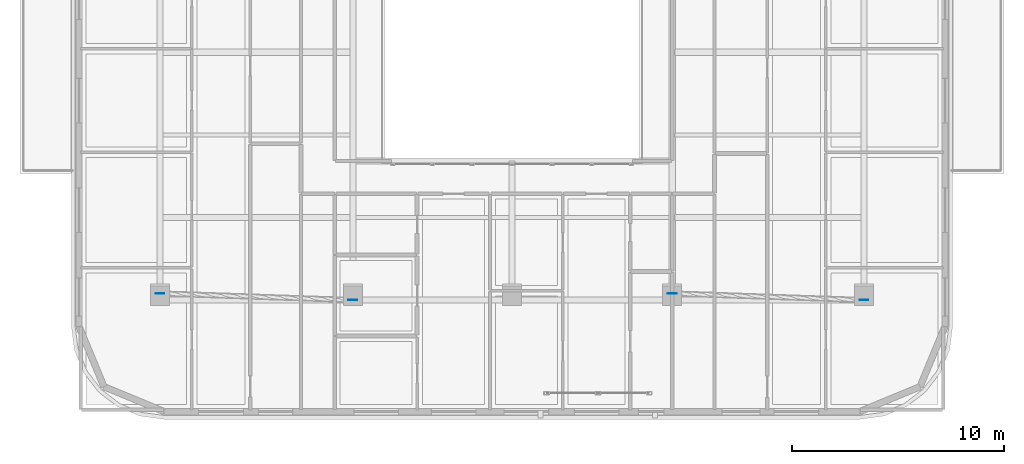
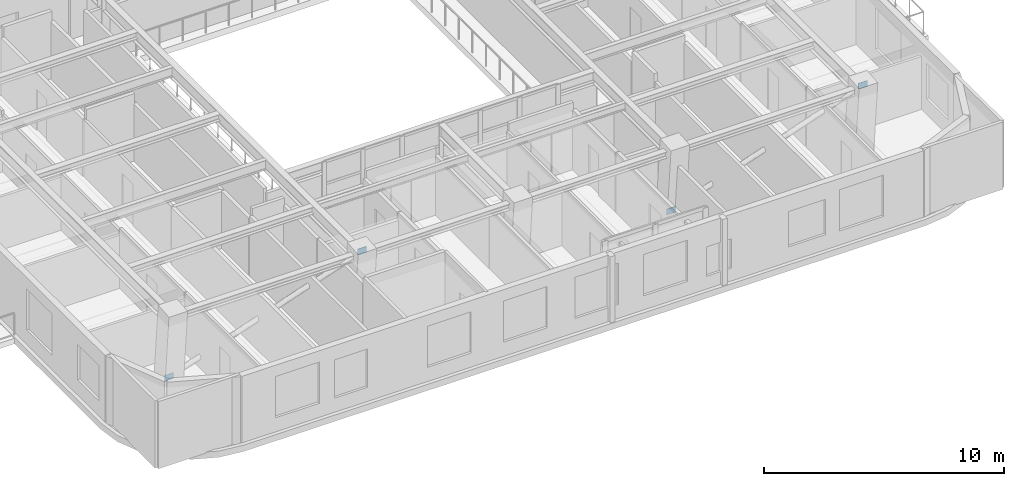
# One storey, part 5 of 14: 4 plates.
"""IFC4 building model written with IfcOpenShell, lengths in metres."""

from ifc_helpers import new_model, si_unit, direction, frame, origin, origin_2d, place, context, subcontext, project, spatial, rectangle, extrude, material, layer, layer_set, type_object, element, save


model = new_model("IFC4")

# Units and contexts
model_context = context("Model", 3, precision=1e-05, world=origin(), true_north=direction((0.0, 1.0)))
body_context = subcontext(model_context, "Body", "Model", "MODEL_VIEW")
ifc_project = project(units=[si_unit("LENGTHUNIT", "METRE"), si_unit("AREAUNIT", "SQUARE_METRE"), si_unit("VOLUMEUNIT", "CUBIC_METRE"), si_unit("PLANEANGLEUNIT", "RADIAN"), si_unit("MASSUNIT", "GRAM", prefix="KILO")], contexts=[model_context])

# Site, building, storey
site_placement = place(None, origin())
site = spatial("IfcSite", under=ifc_project, at=site_placement, CompositionType="ELEMENT")
building_placement = place(site_placement, origin())
building = spatial("IfcBuilding", under=site, at=building_placement, Name="Zarnavel Station Tower", CompositionType="ELEMENT")
storey_placement = place(building_placement, frame((0.0, 0.0, 243.60009765625)))
storey = spatial("IfcBuildingStorey", under=building, at=storey_placement, Name="L66", CompositionType="ELEMENT", Elevation=243.60009765625)

# Plates
ifc_material = material(Name="Steel S460M", Category="steel")
ifc_layer = layer(ifc_material, 0.02490234375)
ifc_layer_set = layer_set([ifc_layer], Name="GP_GUSSET_25")
plate_type = type_object("IfcPlateType", Name="GP_GUSSET_25", PredefinedType="USERDEFINED", material=ifc_layer_set)
for number, where, z_axis, x_axis, name in (
    (1, (12.199951171875, 4.15283203125, -0.14990234375), (0.0, 0.0, 1.0), (1.0, 0.0, 0.0), "L66 Exterior Diagonal Brace End Gusset 1-1"),
    (2, (21.300048828125, 3.843017578125, 3.27001953125), (0.0, 0.0, 1.0), (1.0, 0.0, 0.0), "L66 Exterior Diagonal Brace End Gusset 1-2"),
    (3, (36.35009765625, 4.15283203125, -0.14990234375), (0.0, 0.0, 1.0), (1.0, 0.0, 0.0), "L66 Exterior Diagonal Brace End Gusset 2-1"),
    (4, (45.39990234375, 3.843017578125, 3.27001953125), (0.0, 0.0, 1.0), (1.0, 0.0, 0.0), "L66 Exterior Diagonal Brace End Gusset 2-2"),
):
    element("IfcPlate", number, at=place(storey_placement, frame(where, z_axis=z_axis, x_axis=x_axis)), inside=storey, type_object=plate_type, Name=name, ObjectType="GUSSET_PLATE", PredefinedType="USERDEFINED", context=body_context, shape_type="SweptSolid", body=[
        extrude(rectangle(XDim=0.419921875, YDim=0.02490234375, at=origin_2d()), origin(), (0.0, 0.0, 1.0), 0.300048828125),
    ])

save(model, "model.ifc")
